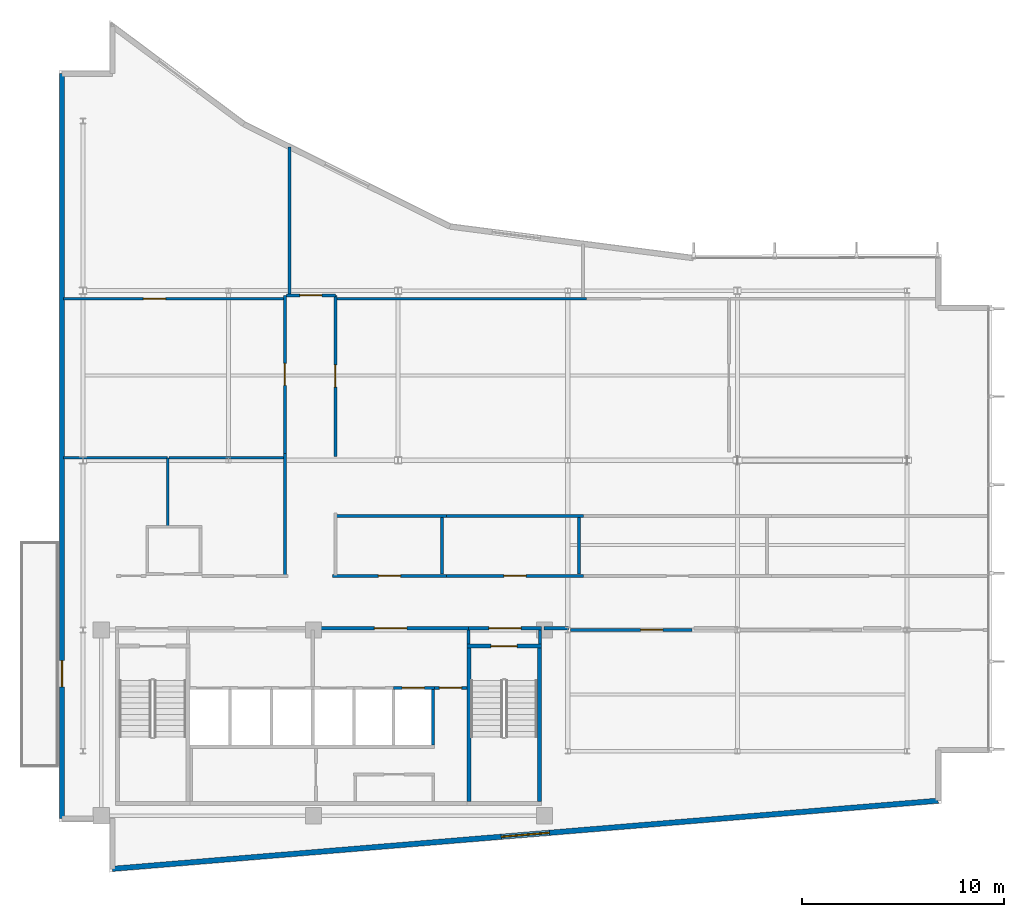
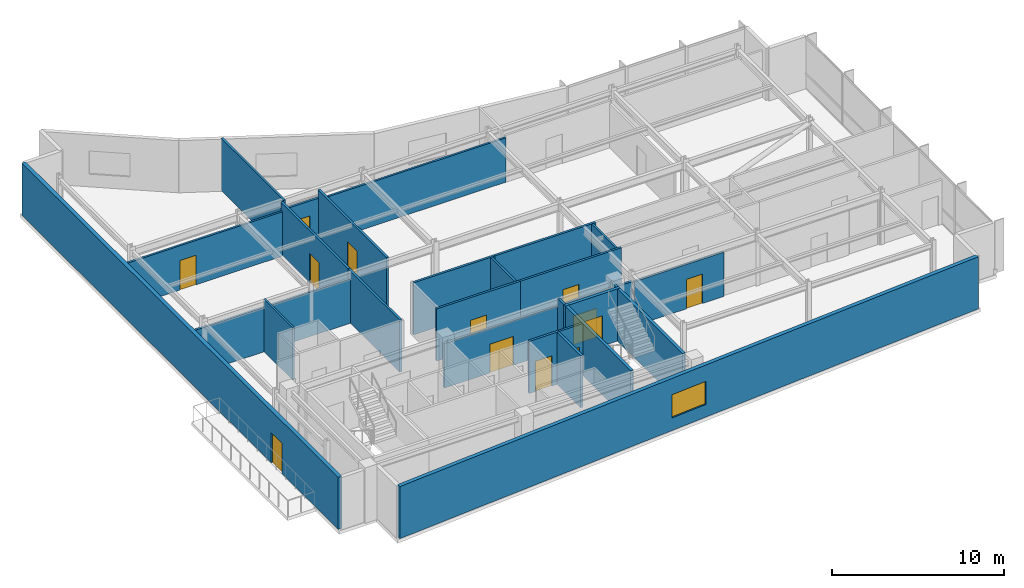
# One storey, part 15 of 19: 30 walls, 13 doors, 1 window, 14 openings.
"""IFC4 building model written with IfcOpenShell, lengths in metres."""

from ifc_helpers import new_model, si_unit, direction, frame, frame_2d, origin, place, context, subcontext, project, spatial, rectangle, extrude, material, layer, layer_set, type_object, element, fill, save


model = new_model("IFC4")

# Units and contexts
model_context = context("Model", 3, precision=1e-05, world=origin(), true_north=direction((0.0, 1.0)))
body_context = subcontext(model_context, "Body", "Model", "MODEL_VIEW")
ifc_project = project(units=[si_unit("LENGTHUNIT", "METRE"), si_unit("AREAUNIT", "SQUARE_METRE"), si_unit("VOLUMEUNIT", "CUBIC_METRE"), si_unit("PLANEANGLEUNIT", "RADIAN"), si_unit("MASSUNIT", "GRAM", prefix="KILO")], contexts=[model_context])

# Site, building, storey
site_placement = place(None, origin())
site = spatial("IfcSite", under=ifc_project, at=site_placement, CompositionType="ELEMENT")
building_placement = place(site_placement, origin())
building = spatial("IfcBuilding", under=site, at=building_placement, Name="Varnakote Quay Hospital", CompositionType="ELEMENT")
storey_placement = place(building_placement, frame((0.0, 0.0, 240.75)))
storey = spatial("IfcBuildingStorey", under=building, at=storey_placement, Name="L59", CompositionType="ELEMENT", Elevation=240.75)

# Wall, opening, door
ifc_material_1 = material(Name="Fire-rated acoustic gypsum stud wall", Category="gypsum")
ifc_layer_1 = layer(ifc_material_1, 0.159912109375)
ifc_layer_set_1 = layer_set([ifc_layer_1], Name="Fire-rated acoustic gypsum stud wall")
wall_type_1 = type_object("IfcWallType", Name="WL-COMP-160", PredefinedType="PARTITIONING", material=ifc_layer_set_1)
wall_1_placement = place(storey_placement, frame((12.580078125, 12.080078125, 0.0), z_axis=(0.0, 0.0, 1.0), x_axis=(1.0, 0.0, 0.0)))
wall_1 = element("IfcWall", 1, at=wall_1_placement, inside=storey, type_object=wall_type_1, Name="L59 Clinical Bed Lift Lobby Wall", PredefinedType="PARTITIONING", context=body_context, shape_type="SweptSolid", body=[
    extrude(rectangle(XDim=7.699951171875, YDim=0.159912109375, at=frame_2d((3.85009765625, 0.0))), origin(), (0.0, 0.0, 1.0), 3.156982421875),
])
opening_1_placement = place(wall_1_placement, frame((3.050048828125, 0.0, 0.0)))
opening_1 = element("IfcOpeningElement", 2, at=opening_1_placement, cuts=wall_1, Name="Opening D-SVL-L59", PredefinedType="OPENING", context=body_context, shape_type="SweptSolid", body=[
    extrude(rectangle(XDim=1.60009765625, YDim=2.050048828125, at=frame_2d((0.800048828125, 1.02490234375))), frame((0.0, 0.08984375, 0.0), z_axis=(0.0, -1.0, 0.0), x_axis=(1.0, 0.0, 0.0)), (0.0, 0.0, 1.0), 0.179931640625),
])
ifc_material_2 = material(Name="Fire-rated double smoke lobby door")
door_type_1 = type_object("IfcDoorType", Name="DR-LOBBY-FD60S-1600x2150", OperationType="NOTDEFINED", PredefinedType="DOOR", material=ifc_material_2)
door_1_placement = place(opening_1_placement, origin())
door_1 = element("IfcDoor", 3, at=door_1_placement, inside=storey, type_object=door_type_1, Name="L59 Clinical Core Smoke Vestibule Door", OperationType="DOUBLE_DOOR_SINGLE_SWING", OverallHeight=2.050048828125, OverallWidth=1.60009765625, PredefinedType="DOOR", context=body_context, shape_type="SweptSolid", body=[
    extrude(rectangle(XDim=1.60009765625, YDim=2.050048828125, at=frame_2d((0.800048828125, 1.02490234375))), frame((0.0, 0.02490234375, 0.0), z_axis=(0.0, -1.0, 0.0), x_axis=(1.0, 0.0, 0.0)), (0.0, 0.0, 1.0), 0.050048828125),
])
fill(opening_1, door_1)

# Wall
wall_2_placement = place(storey_placement, frame((20.280029296875, 11.300048828125, 0.0), z_axis=(0.0, 0.0, 1.0), x_axis=(0.0, 1.0, 0.0)))
element("IfcWall", 4, at=wall_2_placement, inside=storey, type_object=wall_type_1, Name="L59 East Stair Vestibule Divider Wall", PredefinedType="PARTITIONING", context=body_context, shape_type="SweptSolid", body=[
    extrude(rectangle(XDim=0.699951171875, YDim=0.159912109375, at=frame_2d((0.35009765625, 0.0))), origin(), (0.0, 0.0, 1.0), 3.7099609375),
])

# Wall, opening, door
wall_3_placement = place(storey_placement, frame((20.280029296875, 12.080078125, 0.0), z_axis=(0.0, 0.0, 1.0), x_axis=(1.0, 0.0, 0.0)))
wall_3 = element("IfcWall", 5, at=wall_3_placement, inside=storey, type_object=wall_type_1, Name="L59 East Stair Vestibule Smoke Wall", PredefinedType="PARTITIONING", context=body_context, shape_type="SweptSolid", body=[
    extrude(rectangle(XDim=3.619873046875, YDim=0.159912109375, at=frame_2d((1.81005859375, 0.0))), origin(), (0.0, 0.0, 1.0), 3.156982421875),
])
opening_2_placement = place(wall_3_placement, frame((1.010009765625, 0.0, 0.0)))
opening_2 = element("IfcOpeningElement", 6, at=opening_2_placement, cuts=wall_3, Name="Opening D-ST2L-L59", PredefinedType="OPENING", context=body_context, shape_type="SweptSolid", body=[
    extrude(rectangle(XDim=1.60009765625, YDim=2.050048828125, at=frame_2d((0.800048828125, 1.02490234375))), frame((0.0, 0.08984375, 0.0), z_axis=(0.0, -1.0, 0.0), x_axis=(1.0, 0.0, 0.0)), (0.0, 0.0, 1.0), 0.179931640625),
])
door_2_placement = place(opening_2_placement, origin())
door_2 = element("IfcDoor", 7, at=door_2_placement, inside=storey, type_object=door_type_1, Name="L59 East Stair Vestibule Smoke Door", OperationType="DOUBLE_DOOR_SINGLE_SWING", OverallHeight=2.050048828125, OverallWidth=1.60009765625, PredefinedType="DOOR", context=body_context, shape_type="SweptSolid", body=[
    extrude(rectangle(XDim=1.60009765625, YDim=2.050048828125, at=frame_2d((0.800048828125, 1.02490234375))), frame((0.0, 0.02490234375, 0.0), z_axis=(0.0, -1.0, 0.0), x_axis=(1.0, 0.0, 0.0)), (0.0, 0.0, 1.0), 0.050048828125),
])
fill(opening_2, door_2)

# Walls
wall_4_placement = place(storey_placement, frame((23.820068359375, 11.300048828125, 0.0), z_axis=(0.0, 0.0, 1.0), x_axis=(0.0, 1.0, 0.0)))
element("IfcWall", 8, at=wall_4_placement, inside=storey, type_object=wall_type_1, Name="L59 East Stair Vestibule East Wall", PredefinedType="PARTITIONING", context=body_context, shape_type="SweptSolid", body=[
    extrude(rectangle(XDim=0.699951171875, YDim=0.159912109375, at=frame_2d((0.35009765625, 0.0))), origin(), (0.0, 0.0, 1.0), 3.7099609375),
])
wall_5_placement = place(storey_placement, frame((24.02001953125, 12.080078125, 0.0), z_axis=(0.0, 0.0, 1.0), x_axis=(1.0, 0.0, 0.0)))
element("IfcWall", 9, at=wall_5_placement, inside=storey, type_object=wall_type_1, Name="L59 Corridor South Gap Wall", PredefinedType="PARTITIONING", context=body_context, shape_type="SweptSolid", body=[
    extrude(rectangle(XDim=1.2177734375, YDim=0.159912109375, at=frame_2d((0.60888671875, 0.0))), origin(), (0.0, 0.0, 1.0), 3.156982421875),
])

# Wall, opening, window
ifc_material_3 = material(Name="Precast concrete N50 (f'c 50 MPa)", Category="concrete")
ifc_layer_2 = layer(ifc_material_3, 0.260009765625)
ifc_layer_set_2 = layer_set([ifc_layer_2], Name="Precast concrete N50 (f'c 50 MPa)")
wall_type_2 = type_object("IfcWallType", Name="WL-EXT-BRICK-260", PredefinedType="STANDARD", material=ifc_layer_set_2)
wall_6_placement = place(storey_placement, frame((2.659912109375, 0.173583984375, 0.0), z_axis=(0.0, 0.0, 1.0), x_axis=(0.996611813627, 0.082248969229, 0.0)))
wall_6 = element("IfcWall", 10, at=wall_6_placement, inside=storey, type_object=wall_type_2, Name="L59 Brick-Faced Precast Exterior Wall", PredefinedType="STANDARD", context=body_context, shape_type="SweptSolid", body=[
    extrude(rectangle(XDim=41.01904296875, YDim=0.260009765625, at=frame_2d((20.509521484375, 0.0))), origin(), (0.0, 0.0, 1.0), 3.7099609375),
])
opening_3_placement = place(wall_6_placement, frame((19.3095703125, 0.0, 0.89990234375)))
opening_3 = element("IfcOpeningElement", 11, at=opening_3_placement, cuts=wall_6, Name="Opening WN-0238", PredefinedType="OPENING", context=body_context, shape_type="SweptSolid", body=[
    extrude(rectangle(XDim=2.39990234375, YDim=1.64990234375, at=frame_2d((1.199951171875, 0.824951171875))), frame((0.0, 0.139892578125, 0.0), z_axis=(0.0, -1.0, 0.0), x_axis=(1.0, 0.0, 0.0)), (0.0, 0.0, 1.0), 0.280029296875),
])
ifc_material_4 = material(Name="Double-glazed low-E solar glass", Category="glass")
window_type = type_object("IfcWindowType", Name="WIN-CLIN-2400x1650", PartitioningType="SINGLE_PANEL", PredefinedType="WINDOW", material=ifc_material_4)
window_placement = place(opening_3_placement, origin())
window = element("IfcWindow", 12, at=window_placement, inside=storey, type_object=window_type, Name="L59 Solar-Control Clinical Window", OverallHeight=1.64990234375, OverallWidth=2.39990234375, PartitioningType="SINGLE_PANEL", PredefinedType="WINDOW", context=body_context, shape_type="SweptSolid", body=[
    extrude(rectangle(XDim=2.39990234375, YDim=1.64990234375, at=frame_2d((1.199951171875, 0.824951171875))), frame((0.0, 0.030029296875, 0.0), z_axis=(0.0, -1.0, 0.0), x_axis=(1.0, 0.0, 0.0)), (0.0, 0.0, 1.0), 0.06005859375),
])
fill(opening_3, window)

# Wall, opening, door
wall_7_placement = place(storey_placement, frame((0.159912109375, 39.5400390625, 0.0), z_axis=(0.0, 0.0, 1.0), x_axis=(0.0, -1.0, 0.0)))
wall_7 = element("IfcWall", 13, at=wall_7_placement, inside=storey, type_object=wall_type_2, Name="L59 Healing Terrace Portal Brick Wall", PredefinedType="STANDARD", context=body_context, shape_type="SweptSolid", body=[
    extrude(rectangle(XDim=36.880126953125, YDim=0.260009765625, at=frame_2d((18.43994140625, 0.0))), origin(), (0.0, 0.0, 1.0), 3.7099609375),
])
opening_4_placement = place(wall_7_placement, frame((29.058837890625, 0.0, 0.0)))
opening_4 = element("IfcOpeningElement", 14, at=opening_4_placement, cuts=wall_7, Name="Opening DT-L59", PredefinedType="OPENING", context=body_context, shape_type="SweptSolid", body=[
    extrude(rectangle(XDim=1.300048828125, YDim=2.14990234375, at=frame_2d((0.64990234375, 1.074951171875))), frame((0.0, 0.139892578125, 0.0), z_axis=(0.0, -1.0, 0.0), x_axis=(1.0, 0.0, 0.0)), (0.0, 0.0, 1.0), 0.280029296875),
])
ifc_material_5 = material(Name="Anodised aluminium glazed terrace door", Category="aluminium")
door_type_2 = type_object("IfcDoorType", Name="DR-EXT-TERR-1300x2150", OperationType="NOTDEFINED", PredefinedType="DOOR", material=ifc_material_5)
door_3_placement = place(opening_4_placement, origin())
door_3 = element("IfcDoor", 15, at=door_3_placement, inside=storey, type_object=door_type_2, Name="L59 Waterfront Healing Terrace Door", OperationType="SINGLE_SWING_RIGHT", OverallHeight=2.14990234375, OverallWidth=1.300048828125, PredefinedType="DOOR", context=body_context, shape_type="SweptSolid", body=[
    extrude(rectangle(XDim=1.300048828125, YDim=2.14990234375, at=frame_2d((0.64990234375, 1.074951171875))), frame((0.0, 0.02490234375, 0.0), z_axis=(0.0, -1.0, 0.0), x_axis=(1.0, 0.0, 0.0)), (0.0, 0.0, 1.0), 0.050048828125),
])
fill(opening_4, door_3)

# Wall
ifc_material_6 = material(Name="Concrete N50 (f'c 50 MPa)", Category="concrete")
ifc_layer_3 = layer(ifc_material_6, 0.159912109375)
ifc_layer_set_3 = layer_set([ifc_layer_3], Name="Concrete N50 (f'c 50 MPa)")
wall_type_3 = type_object("IfcWallType", Name="WL-SHAFT-N50-160", PredefinedType="SHEAR", material=ifc_layer_set_3)
wall_8_placement = place(storey_placement, frame((18.530029296875, 6.300048828125, 0.0), z_axis=(0.0, 0.0, 1.0), x_axis=(0.0, 1.0, 0.0)))
element("IfcWall", 16, at=wall_8_placement, inside=storey, type_object=wall_type_3, Name="L59 REAR Lift Bank East Shear Wall", PredefinedType="SHEAR", context=body_context, shape_type="SweptSolid", body=[
    extrude(rectangle(XDim=2.75, YDim=0.159912109375, at=frame_2d((1.375, 0.0))), origin(), (0.0, 0.0, 1.0), 3.7099609375),
])

# Wall, opening, door
wall_9_placement = place(storey_placement, frame((16.574951171875, 9.1298828125, 0.0), z_axis=(0.0, 0.0, 1.0), x_axis=(1.0, 0.0, 0.0)))
wall_9 = element("IfcWall", 17, at=wall_9_placement, inside=storey, type_object=wall_type_3, Name="L59 LF-PH2 Hoistway Front Wall", PredefinedType="SHEAR", context=body_context, shape_type="SweptSolid", body=[
    extrude(rectangle(XDim=2.03515625, YDim=0.159912109375, at=frame_2d((1.017578125, 0.0))), origin(), (0.0, 0.0, 1.0), 3.7099609375),
])
opening_5_placement = place(wall_9_placement, frame((0.425048828125, 0.0, 0.0)))
opening_5 = element("IfcOpeningElement", 18, at=opening_5_placement, cuts=wall_9, Name="Opening LD-PH2-L59", PredefinedType="OPENING", context=body_context, shape_type="SweptSolid", body=[
    extrude(rectangle(XDim=1.10009765625, YDim=2.14990234375, at=frame_2d((0.550048828125, 1.074951171875))), frame((0.0, 0.08984375, 0.0), z_axis=(0.0, -1.0, 0.0), x_axis=(1.0, 0.0, 0.0)), (0.0, 0.0, 1.0), 0.179931640625),
])
ifc_material_7 = material(Name="Brushed bronze lift landing sliding door")
door_type_3 = type_object("IfcDoorType", Name="DR-LIFT-LD-1100x2150", OperationType="NOTDEFINED", PredefinedType="DOOR", material=ifc_material_7)
door_4_placement = place(opening_5_placement, origin())
door_4 = element("IfcDoor", 19, at=door_4_placement, inside=storey, type_object=door_type_3, Name="L59 LF-PH2 Lift Landing Sliding Door", OperationType="SLIDING_TO_LEFT", OverallHeight=2.14990234375, OverallWidth=1.10009765625, PredefinedType="DOOR", context=body_context, shape_type="SweptSolid", body=[
    extrude(rectangle(XDim=1.10009765625, YDim=2.14990234375, at=frame_2d((0.550048828125, 1.074951171875))), frame((0.0, 0.02490234375, 0.0), z_axis=(0.0, -1.0, 0.0), x_axis=(1.0, 0.0, 0.0)), (0.0, 0.0, 1.0), 0.050048828125),
])
fill(opening_5, door_4)

# Walls
ifc_material_8 = material(Name="Concrete N50 (f'c 50 MPa)", Category="concrete")
ifc_layer_4 = layer(ifc_material_8, 0.199951171875)
ifc_layer_set_4 = layer_set([ifc_layer_4], Name="Concrete N50 (f'c 50 MPa)")
wall_type_4 = type_object("IfcWallType", Name="WL-SHAFT-N50-200", PredefinedType="SHEAR", material=ifc_layer_set_4)
for number, where, z_axis, x_axis, name in (
    (20, (20.300048828125, 3.5, 0.0), (0.0, 0.0, 1.0), (0.0, 1.0, 0.0), "L59 Stair ST2 West Shaft Wall"),
    (21, (23.800048828125, 3.5, 0.0), (0.0, 0.0, 1.0), (0.0, 1.0, 0.0), "L59 Stair ST2 East Shaft Wall"),
):
    element("IfcWall", number, at=place(storey_placement, frame(where, z_axis=z_axis, x_axis=x_axis)), inside=storey, type_object=wall_type_4, Name=name, PredefinedType="SHEAR", context=body_context, shape_type="SweptSolid", body=[
        extrude(rectangle(XDim=7.60009765625, YDim=0.199951171875, at=frame_2d((3.800048828125, 0.0))), origin(), (0.0, 0.0, 1.0), 3.7099609375),
    ])

# Wall, opening, door
wall_10_placement = place(storey_placement, frame((20.199951171875, 11.199951171875, 0.0), z_axis=(0.0, 0.0, 1.0), x_axis=(1.0, 0.0, 0.0)))
wall_10 = element("IfcWall", 22, at=wall_10_placement, inside=storey, type_object=wall_type_4, Name="L59 Stair ST2 Exit Wall", PredefinedType="SHEAR", context=body_context, shape_type="SweptSolid", body=[
    extrude(rectangle(XDim=3.699951171875, YDim=0.199951171875, at=frame_2d((1.85009765625, 0.0))), origin(), (0.0, 0.0, 1.0), 3.7099609375),
])
opening_6_placement = place(wall_10_placement, frame((1.199951171875, 0.0, 0.0)))
opening_6 = element("IfcOpeningElement", 23, at=opening_6_placement, cuts=wall_10, Name="Opening D-ST2-L59", PredefinedType="OPENING", context=body_context, shape_type="SweptSolid", body=[
    extrude(rectangle(XDim=1.300048828125, YDim=2.14990234375, at=frame_2d((0.64990234375, 1.074951171875))), frame((0.0, 0.10986328125, 0.0), z_axis=(0.0, -1.0, 0.0), x_axis=(1.0, 0.0, 0.0)), (0.0, 0.0, 1.0), 0.219970703125),
])
ifc_material_9 = material(Name="Fire-rated ceramic-glazed timber exit door", Category="wood")
door_type_4 = type_object("IfcDoorType", Name="DR-STAIR-FD60S-1300x2150", OperationType="NOTDEFINED", PredefinedType="DOOR", material=ifc_material_9)
door_5_placement = place(opening_6_placement, origin())
door_5 = element("IfcDoor", 24, at=door_5_placement, inside=storey, type_object=door_type_4, Name="L59 Stair ST2 Fire Exit Door", OperationType="SINGLE_SWING_RIGHT", OverallHeight=2.14990234375, OverallWidth=1.300048828125, PredefinedType="DOOR", context=body_context, shape_type="SweptSolid", body=[
    extrude(rectangle(XDim=1.300048828125, YDim=2.14990234375, at=frame_2d((0.64990234375, 1.074951171875))), frame((0.0, 0.02490234375, 0.0), z_axis=(0.0, -1.0, 0.0), x_axis=(1.0, 0.0, 0.0)), (0.0, 0.0, 1.0), 0.050048828125),
])
fill(opening_6, door_5)

# Walls
ifc_material_10 = material(Name="Smoke-proof clinical partition", Category="gypsum")
ifc_layer_5 = layer(ifc_material_10, 0.135009765625)
ifc_layer_set_5 = layer_set([ifc_layer_5], Name="Smoke-proof clinical partition")
wall_type_5 = type_object("IfcWallType", Name="WL-SMOKE-135", PredefinedType="PARTITIONING", material=ifc_layer_set_5)
wall_11_placement = place(storey_placement, frame((5.389892578125, 17.139892578125, 0.0), z_axis=(0.0, 0.0, 1.0), x_axis=(0.0, 1.0, 0.0)))
element("IfcWall", 25, at=wall_11_placement, inside=storey, type_object=wall_type_5, Name="L59 Clinical Interior Partition", PredefinedType="PARTITIONING", context=body_context, shape_type="SweptSolid", body=[
    extrude(rectangle(XDim=3.380126953125, YDim=0.135009765625, at=frame_2d((1.68994140625, 0.0))), origin(), (0.0, 0.0, 1.0), 3.7099609375),
])
wall_12_placement = place(storey_placement, frame((5.389892578125, 20.52001953125, 0.0), z_axis=(0.0, 0.0, 1.0), x_axis=(-1.0, 0.0, 0.0)))
element("IfcWall", 26, at=wall_12_placement, inside=storey, type_object=wall_type_5, Name="L59 Clinical Interior Partition", PredefinedType="PARTITIONING", context=body_context, shape_type="SweptSolid", body=[
    extrude(rectangle(XDim=5.14990234375, YDim=0.135009765625, at=frame_2d((2.574951171875, 0.0))), origin(), (0.0, 0.0, 1.0), 3.156982421875),
])
wall_13_placement = place(storey_placement, frame((11.1201171875, 20.52001953125, 0.0), z_axis=(0.0, 0.0, 1.0), x_axis=(-1.0, 0.0, 0.0)))
element("IfcWall", 27, at=wall_13_placement, inside=storey, type_object=wall_type_5, Name="L59 Clinical Interior Partition", PredefinedType="PARTITIONING", context=body_context, shape_type="SweptSolid", body=[
    extrude(rectangle(XDim=5.672607421875, YDim=0.135009765625, at=frame_2d((2.83642578125, 0.0))), origin(), (0.0, 0.0, 1.0), 3.156982421875),
])
for number, where, z_axis, x_axis, name in (
    (28, (18.969970703125, 14.760009765625, 0.0), (0.0, 0.0, 1.0), (0.0, 1.0, 0.0), "L59 Clinical Interior Partition"),
    (29, (25.760009765625, 14.760009765625, 0.0), (0.0, 0.0, 1.0), (0.0, 1.0, 0.0), "L59 Clinical Interior Partition"),
):
    element("IfcWall", number, at=place(storey_placement, frame(where, z_axis=z_axis, x_axis=x_axis)), inside=storey, type_object=wall_type_5, Name=name, PredefinedType="PARTITIONING", context=body_context, shape_type="SweptSolid", body=[
        extrude(rectangle(XDim=2.81005859375, YDim=0.135009765625, at=frame_2d((1.405029296875, 0.0))), origin(), (0.0, 0.0, 1.0), 3.7099609375),
    ])

# Wall, opening, door
wall_14_placement = place(storey_placement, frame((11.1201171875, 28.39990234375, 0.0), z_axis=(0.0, 0.0, 1.0), x_axis=(-1.0, 0.0, 0.0)))
wall_14 = element("IfcWall", 30, at=wall_14_placement, inside=storey, type_object=wall_type_5, Name="L59 Clinical Interior Partition", PredefinedType="PARTITIONING", context=body_context, shape_type="SweptSolid", body=[
    extrude(rectangle(XDim=10.880126953125, YDim=0.135009765625, at=frame_2d((5.43994140625, 0.0))), origin(), (0.0, 0.0, 1.0), 3.156982421875),
])
opening_7_placement = place(wall_14_placement, frame((5.827880859375, 0.0, 0.0)))
opening_7 = element("IfcOpeningElement", 31, at=opening_7_placement, cuts=wall_14, Name="Opening D-L59-MD09", PredefinedType="OPENING", context=body_context, shape_type="SweptSolid", body=[
    extrude(rectangle(XDim=1.10009765625, YDim=2.10009765625, at=frame_2d((0.550048828125, 1.050048828125))), frame((0.0, 0.077392578125, 0.0), z_axis=(0.0, -1.0, 0.0), x_axis=(1.0, 0.0, 0.0)), (0.0, 0.0, 1.0), 0.155029296875),
])
ifc_material_11 = material(Name="Acoustic timber clinical consult door", Category="wood")
door_type_5 = type_object("IfcDoorType", Name="DR-CLIN-FD30S-1100x2100", OperationType="NOTDEFINED", PredefinedType="DOOR", material=ifc_material_11)
door_6_placement = place(opening_7_placement, origin())
door_6 = element("IfcDoor", 32, at=door_6_placement, inside=storey, type_object=door_type_5, Name="L59 Multidisciplinary Clinical Consultation Suite Door", OperationType="SINGLE_SWING_LEFT", OverallHeight=2.10009765625, OverallWidth=1.10009765625, PredefinedType="DOOR", context=body_context, shape_type="SweptSolid", body=[
    extrude(rectangle(XDim=1.10009765625, YDim=2.10009765625, at=frame_2d((0.550048828125, 1.050048828125))), frame((0.0, 0.02490234375, 0.0), z_axis=(0.0, -1.0, 0.0), x_axis=(1.0, 0.0, 0.0)), (0.0, 0.0, 1.0), 0.050048828125),
])
fill(opening_7, door_6)

# Walls
wall_15_placement = place(storey_placement, frame((26.138427734375, 28.39990234375, 0.0), z_axis=(0.0, 0.0, 1.0), x_axis=(-1.0, 0.0, 0.0)))
element("IfcWall", 33, at=wall_15_placement, inside=storey, type_object=wall_type_5, Name="L59 Clinical Interior Partition", PredefinedType="PARTITIONING", context=body_context, shape_type="SweptSolid", body=[
    extrude(rectangle(XDim=12.3583984375, YDim=0.135009765625, at=frame_2d((6.17919921875, 0.0))), origin(), (0.0, 0.0, 1.0), 3.156982421875),
])
wall_16_placement = place(storey_placement, frame((11.419921875, 28.6201171875, 0.0), z_axis=(0.0, 0.0, 1.0), x_axis=(0.0, 1.0, 0.0)))
element("IfcWall", 34, at=wall_16_placement, inside=storey, type_object=wall_type_5, Name="L59 Clinical Interior Partition", PredefinedType="PARTITIONING", context=body_context, shape_type="SweptSolid", body=[
    extrude(rectangle(XDim=7.29443359375, YDim=0.135009765625, at=frame_2d((3.647216796875, 0.0))), origin(), (0.0, 0.0, 1.0), 3.7099609375),
])

# Wall, opening, door
ifc_material_12 = material(Name="Fire-rated clinical gypsum partition", Category="gypsum")
ifc_layer_6 = layer(ifc_material_12, 0.139892578125)
ifc_layer_set_6 = layer_set([ifc_layer_6], Name="Fire-rated clinical gypsum partition")
wall_type_6 = type_object("IfcWallType", Name="WL-WARD-140", PredefinedType="PARTITIONING", material=ifc_layer_set_6)
wall_17_placement = place(storey_placement, frame((18.610107421875, 9.1298828125, 0.0), z_axis=(0.0, 0.0, 1.0), x_axis=(1.0, 0.0, 0.0)))
wall_17 = element("IfcWall", 35, at=wall_17_placement, inside=storey, type_object=wall_type_6, Name="L59 Core Service Corridor North Door Wall", PredefinedType="PARTITIONING", context=body_context, shape_type="SweptSolid", body=[
    extrude(rectangle(XDim=1.58984375, YDim=0.139892578125, at=frame_2d((0.794921875, 0.0))), origin(), (0.0, 0.0, 1.0), 3.7099609375),
])
opening_8_placement = place(wall_17_placement, frame((0.239990234375, 0.0, 0.0)))
opening_8 = element("IfcOpeningElement", 36, at=opening_8_placement, cuts=wall_17, Name="Opening D-CSRV-L59", PredefinedType="OPENING", context=body_context, shape_type="SweptSolid", body=[
    extrude(rectangle(XDim=1.10009765625, YDim=2.10009765625, at=frame_2d((0.550048828125, 1.050048828125))), frame((0.0, 0.079833984375, 0.0), z_axis=(0.0, -1.0, 0.0), x_axis=(1.0, 0.0, 0.0)), (0.0, 0.0, 1.0), 0.159912109375),
])
door_7_placement = place(opening_8_placement, origin())
door_7 = element("IfcDoor", 37, at=door_7_placement, inside=storey, type_object=door_type_5, Name="L59 Core Service Corridor Door", OperationType="SINGLE_SWING_LEFT", OverallHeight=2.10009765625, OverallWidth=1.10009765625, PredefinedType="DOOR", context=body_context, shape_type="SweptSolid", body=[
    extrude(rectangle(XDim=1.10009765625, YDim=2.10009765625, at=frame_2d((0.550048828125, 1.050048828125))), frame((0.0, 0.02490234375, 0.0), z_axis=(0.0, -1.0, 0.0), x_axis=(1.0, 0.0, 0.0)), (0.0, 0.0, 1.0), 0.050048828125),
])
fill(opening_8, door_7)

ifc_material_13 = material(Name="Fire-rated clinical gypsum partition", Category="gypsum")
ifc_layer_7 = layer(ifc_material_13, 0.14990234375)
ifc_layer_set_7 = layer_set([ifc_layer_7], Name="Fire-rated clinical gypsum partition")
wall_type_7 = type_object("IfcWallType", Name="WL-WARD-150", PredefinedType="PARTITIONING", material=ifc_layer_set_7)
wall_18_placement = place(storey_placement, frame((31.35009765625, 12.0, 0.0), z_axis=(0.0, 0.0, 1.0), x_axis=(-1.0, 0.0, 0.0)))
wall_18 = element("IfcWall", 38, at=wall_18_placement, inside=storey, type_object=wall_type_7, Name="L59 Clinical Interior Partition", PredefinedType="PARTITIONING", context=body_context, shape_type="SweptSolid", body=[
    extrude(rectangle(XDim=6.023193359375, YDim=0.14990234375, at=frame_2d((3.01171875, 0.0))), origin(), (0.0, 0.0, 1.0), 3.156982421875),
])
opening_9_placement = place(wall_18_placement, frame((1.44384765625, 0.0, 0.0)))
opening_9 = element("IfcOpeningElement", 39, at=opening_9_placement, cuts=wall_18, Name="Opening D-L59-RL1", PredefinedType="OPENING", context=body_context, shape_type="SweptSolid", body=[
    extrude(rectangle(XDim=1.10009765625, YDim=2.10009765625, at=frame_2d((0.550048828125, 1.050048828125))), frame((0.0, 0.0849609375, 0.0), z_axis=(0.0, -1.0, 0.0), x_axis=(1.0, 0.0, 0.0)), (0.0, 0.0, 1.0), 0.169921875),
])
door_8_placement = place(opening_9_placement, origin())
door_8 = element("IfcDoor", 40, at=door_8_placement, inside=storey, type_object=door_type_5, Name="L59 Day Infusion Treatment Suite Door", OperationType="SINGLE_SWING_LEFT", OverallHeight=2.10009765625, OverallWidth=1.10009765625, PredefinedType="DOOR", context=body_context, shape_type="SweptSolid", body=[
    extrude(rectangle(XDim=1.10009765625, YDim=2.10009765625, at=frame_2d((0.550048828125, 1.050048828125))), frame((0.0, 0.02490234375, 0.0), z_axis=(0.0, -1.0, 0.0), x_axis=(1.0, 0.0, 0.0)), (0.0, 0.0, 1.0), 0.050048828125),
])
fill(opening_9, door_8)

wall_19_placement = place(storey_placement, frame((19.196044921875, 14.679931640625, 0.0), z_axis=(0.0, 0.0, 1.0), x_axis=(-1.0, 0.0, 0.0)))
wall_19 = element("IfcWall", 41, at=wall_19_placement, inside=storey, type_object=wall_type_7, Name="L59 Clinical Interior Partition", PredefinedType="PARTITIONING", context=body_context, shape_type="SweptSolid", body=[
    extrude(rectangle(XDim=5.64208984375, YDim=0.14990234375, at=frame_2d((2.821044921875, 0.0))), origin(), (0.0, 0.0, 1.0), 3.7099609375),
])
opening_10_placement = place(wall_19_placement, frame((2.27099609375, 0.0, 0.0)))
opening_10 = element("IfcOpeningElement", 42, at=opening_10_placement, cuts=wall_19, Name="Opening D-L59-MD02", PredefinedType="OPENING", context=body_context, shape_type="SweptSolid", body=[
    extrude(rectangle(XDim=1.10009765625, YDim=2.10009765625, at=frame_2d((0.550048828125, 1.050048828125))), frame((0.0, 0.0849609375, 0.0), z_axis=(0.0, -1.0, 0.0), x_axis=(1.0, 0.0, 0.0)), (0.0, 0.0, 1.0), 0.169921875),
])
door_9_placement = place(opening_10_placement, origin())
door_9 = element("IfcDoor", 43, at=door_9_placement, inside=storey, type_object=door_type_5, Name="L59 Wedge Step-Down Treatment Suite Door", OperationType="SINGLE_SWING_RIGHT", OverallHeight=2.10009765625, OverallWidth=1.10009765625, PredefinedType="DOOR", context=body_context, shape_type="SweptSolid", body=[
    extrude(rectangle(XDim=1.10009765625, YDim=2.10009765625, at=frame_2d((0.550048828125, 1.050048828125))), frame((0.0, 0.02490234375, 0.0), z_axis=(0.0, -1.0, 0.0), x_axis=(1.0, 0.0, 0.0)), (0.0, 0.0, 1.0), 0.050048828125),
])
fill(opening_10, door_9)

wall_20_placement = place(storey_placement, frame((25.986083984375, 14.679931640625, 0.0), z_axis=(0.0, 0.0, 1.0), x_axis=(-1.0, 0.0, 0.0)))
wall_20 = element("IfcWall", 44, at=wall_20_placement, inside=storey, type_object=wall_type_7, Name="L59 Clinical Interior Partition", PredefinedType="PARTITIONING", context=body_context, shape_type="SweptSolid", body=[
    extrude(rectangle(XDim=6.7880859375, YDim=0.14990234375, at=frame_2d((3.39404296875, 0.0))), origin(), (0.0, 0.0, 1.0), 3.7099609375),
])
opening_11_placement = place(wall_20_placement, frame((2.843994140625, 0.0, 0.0)))
opening_11 = element("IfcOpeningElement", 45, at=opening_11_placement, cuts=wall_20, Name="Opening D-L59-MD03", PredefinedType="OPENING", context=body_context, shape_type="SweptSolid", body=[
    extrude(rectangle(XDim=1.10009765625, YDim=2.10009765625, at=frame_2d((0.550048828125, 1.050048828125))), frame((0.0, 0.0849609375, 0.0), z_axis=(0.0, -1.0, 0.0), x_axis=(1.0, 0.0, 0.0)), (0.0, 0.0, 1.0), 0.169921875),
])
door_10_placement = place(opening_11_placement, origin())
door_10 = element("IfcDoor", 46, at=door_10_placement, inside=storey, type_object=door_type_5, Name="L59 Senior Registrar Office Door", OperationType="SINGLE_SWING_LEFT", OverallHeight=2.10009765625, OverallWidth=1.10009765625, PredefinedType="DOOR", context=body_context, shape_type="SweptSolid", body=[
    extrude(rectangle(XDim=1.10009765625, YDim=2.10009765625, at=frame_2d((0.550048828125, 1.050048828125))), frame((0.0, 0.02490234375, 0.0), z_axis=(0.0, -1.0, 0.0), x_axis=(1.0, 0.0, 0.0)), (0.0, 0.0, 1.0), 0.050048828125),
])
fill(opening_11, door_10)

# Wall
wall_21_placement = place(storey_placement, frame((11.199951171875, 20.74609375, 0.0), z_axis=(0.0, 0.0, 1.0), x_axis=(0.0, -1.0, 0.0)))
element("IfcWall", 47, at=wall_21_placement, inside=storey, type_object=wall_type_7, Name="L59 Clinical Interior Partition", PredefinedType="PARTITIONING", context=body_context, shape_type="SweptSolid", body=[
    extrude(rectangle(XDim=6.046142578125, YDim=0.14990234375, at=frame_2d((3.02294921875, 0.0))), origin(), (0.0, 0.0, 1.0), 3.7099609375),
])

# Wall, opening, door
wall_22_placement = place(storey_placement, frame((11.199951171875, 28.56005859375, 0.0), z_axis=(0.0, 0.0, 1.0), x_axis=(0.0, -1.0, 0.0)))
wall_22 = element("IfcWall", 48, at=wall_22_placement, inside=storey, type_object=wall_type_7, Name="L59 Clinical Interior Partition", PredefinedType="PARTITIONING", context=body_context, shape_type="SweptSolid", body=[
    extrude(rectangle(XDim=7.81201171875, YDim=0.14990234375, at=frame_2d((3.906005859375, 0.0))), origin(), (0.0, 0.0, 1.0), 3.7099609375),
])
opening_12_placement = place(wall_22_placement, frame((3.35595703125, 0.0, 0.0)))
opening_12 = element("IfcOpeningElement", 49, at=opening_12_placement, cuts=wall_22, Name="Opening D-L59-MD06", PredefinedType="OPENING", context=body_context, shape_type="SweptSolid", body=[
    extrude(rectangle(XDim=1.10009765625, YDim=2.10009765625, at=frame_2d((0.550048828125, 1.050048828125))), frame((0.0, 0.0849609375, 0.0), z_axis=(0.0, -1.0, 0.0), x_axis=(1.0, 0.0, 0.0)), (0.0, 0.0, 1.0), 0.169921875),
])
door_11_placement = place(opening_12_placement, origin())
door_11 = element("IfcDoor", 50, at=door_11_placement, inside=storey, type_object=door_type_5, Name="L59 Wedge Step-Down Treatment Suite Door", OperationType="SINGLE_SWING_RIGHT", OverallHeight=2.10009765625, OverallWidth=1.10009765625, PredefinedType="DOOR", context=body_context, shape_type="SweptSolid", body=[
    extrude(rectangle(XDim=1.10009765625, YDim=2.10009765625, at=frame_2d((0.550048828125, 1.050048828125))), frame((0.0, 0.02490234375, 0.0), z_axis=(0.0, -1.0, 0.0), x_axis=(1.0, 0.0, 0.0)), (0.0, 0.0, 1.0), 0.050048828125),
])
fill(opening_12, door_11)

wall_23_placement = place(storey_placement, frame((13.699951171875, 20.593994140625, 0.0), z_axis=(0.0, 0.0, 1.0), x_axis=(0.0, 1.0, 0.0)))
wall_23 = element("IfcWall", 51, at=wall_23_placement, inside=storey, type_object=wall_type_7, Name="L59 Clinical Interior Partition", PredefinedType="PARTITIONING", context=body_context, shape_type="SweptSolid", body=[
    extrude(rectangle(XDim=7.966064453125, YDim=0.14990234375, at=frame_2d((3.98291015625, 0.0))), origin(), (0.0, 0.0, 1.0), 3.7099609375),
])
opening_13_placement = place(wall_23_placement, frame((3.43310546875, 0.0, 0.0)))
opening_13 = element("IfcOpeningElement", 52, at=opening_13_placement, cuts=wall_23, Name="Opening D-L59-MD07", PredefinedType="OPENING", context=body_context, shape_type="SweptSolid", body=[
    extrude(rectangle(XDim=1.10009765625, YDim=2.10009765625, at=frame_2d((0.550048828125, 1.050048828125))), frame((0.0, 0.0849609375, 0.0), z_axis=(0.0, -1.0, 0.0), x_axis=(1.0, 0.0, 0.0)), (0.0, 0.0, 1.0), 0.169921875),
])
door_12_placement = place(opening_13_placement, origin())
door_12 = element("IfcDoor", 53, at=door_12_placement, inside=storey, type_object=door_type_5, Name="L59 Senior Registrar Office Door", OperationType="SINGLE_SWING_LEFT", OverallHeight=2.10009765625, OverallWidth=1.10009765625, PredefinedType="DOOR", context=body_context, shape_type="SweptSolid", body=[
    extrude(rectangle(XDim=1.10009765625, YDim=2.10009765625, at=frame_2d((0.550048828125, 1.050048828125))), frame((0.0, 0.02490234375, 0.0), z_axis=(0.0, -1.0, 0.0), x_axis=(1.0, 0.0, 0.0)), (0.0, 0.0, 1.0), 0.050048828125),
])
fill(opening_13, door_12)

wall_24_placement = place(storey_placement, frame((13.699951171875, 28.56005859375, 0.0), z_axis=(0.0, 0.0, 1.0), x_axis=(-1.0, 0.0, 0.0)))
wall_24 = element("IfcWall", 54, at=wall_24_placement, inside=storey, type_object=wall_type_7, Name="L59 Clinical Interior Partition", PredefinedType="PARTITIONING", context=body_context, shape_type="SweptSolid", body=[
    extrude(rectangle(XDim=2.43505859375, YDim=0.14990234375, at=frame_2d((1.217529296875, 0.0))), origin(), (0.0, 0.0, 1.0), 3.156982421875),
])
opening_14_placement = place(wall_24_placement, frame((0.66748046875, 0.0, 0.0)))
opening_14 = element("IfcOpeningElement", 55, at=opening_14_placement, cuts=wall_24, Name="Opening D-L59-MD10", PredefinedType="OPENING", context=body_context, shape_type="SweptSolid", body=[
    extrude(rectangle(XDim=1.10009765625, YDim=2.10009765625, at=frame_2d((0.550048828125, 1.050048828125))), frame((0.0, 0.0849609375, 0.0), z_axis=(0.0, -1.0, 0.0), x_axis=(1.0, 0.0, 0.0)), (0.0, 0.0, 1.0), 0.169921875),
])
door_13_placement = place(opening_14_placement, origin())
door_13 = element("IfcDoor", 56, at=door_13_placement, inside=storey, type_object=door_type_5, Name="L59 Wedge Step-Down Treatment Suite Door", OperationType="SINGLE_SWING_RIGHT", OverallHeight=2.10009765625, OverallWidth=1.10009765625, PredefinedType="DOOR", context=body_context, shape_type="SweptSolid", body=[
    extrude(rectangle(XDim=1.10009765625, YDim=2.10009765625, at=frame_2d((0.550048828125, 1.050048828125))), frame((0.0, 0.02490234375, 0.0), z_axis=(0.0, -1.0, 0.0), x_axis=(1.0, 0.0, 0.0)), (0.0, 0.0, 1.0), 0.050048828125),
])
fill(opening_14, door_13)

# Walls
wall_25_placement = place(storey_placement, frame((13.719970703125, 17.64990234375, 0.0), z_axis=(0.0, 0.0, 1.0), x_axis=(1.0, 0.0, 0.0)))
element("IfcWall", 57, at=wall_25_placement, inside=storey, type_object=wall_type_7, Name="L59 Clinical Interior Partition", PredefinedType="PARTITIONING", context=body_context, shape_type="SweptSolid", body=[
    extrude(rectangle(XDim=5.47607421875, YDim=0.14990234375, at=frame_2d((2.738037109375, 0.0))), origin(), (0.0, 0.0, 1.0), 3.7099609375),
])
wall_26_placement = place(storey_placement, frame((19.197998046875, 17.64990234375, 0.0), z_axis=(0.0, 0.0, 1.0), x_axis=(1.0, 0.0, 0.0)))
element("IfcWall", 58, at=wall_26_placement, inside=storey, type_object=wall_type_7, Name="L59 Clinical Interior Partition", PredefinedType="PARTITIONING", context=body_context, shape_type="SweptSolid", body=[
    extrude(rectangle(XDim=6.7880859375, YDim=0.14990234375, at=frame_2d((3.39404296875, 0.0))), origin(), (0.0, 0.0, 1.0), 3.7099609375),
])

save(model, "model.ifc")
